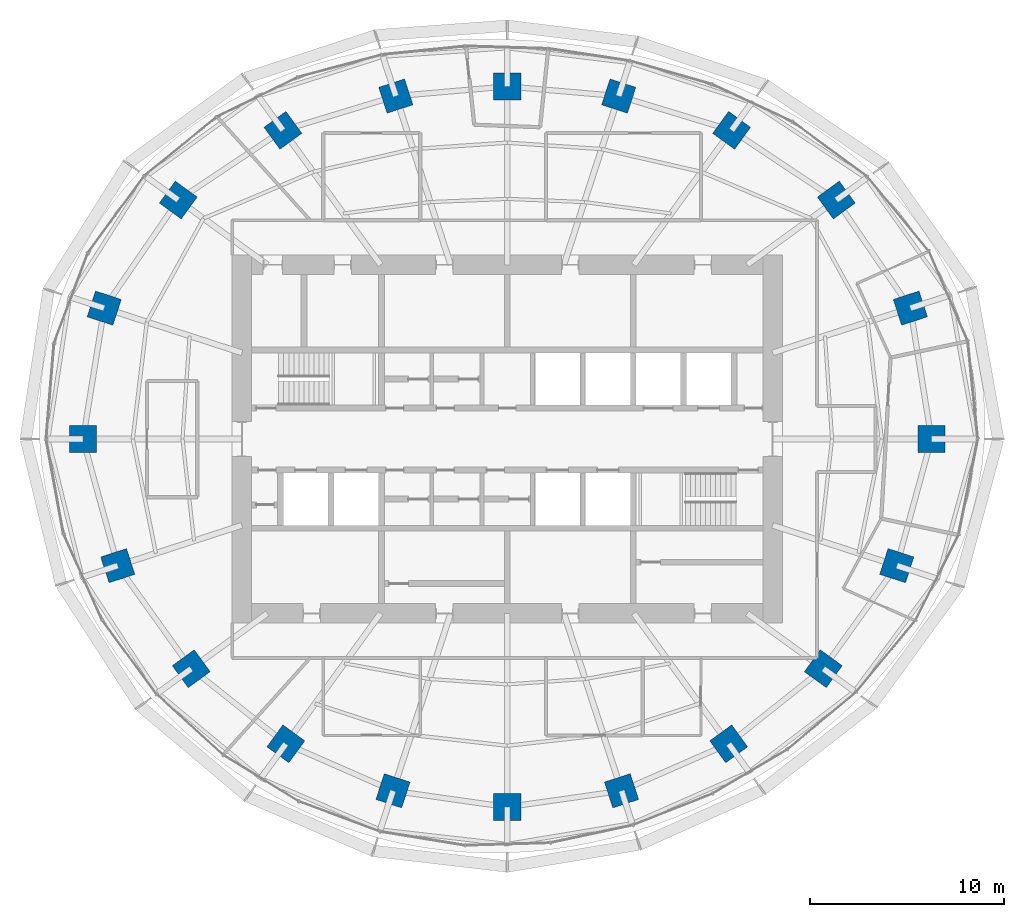
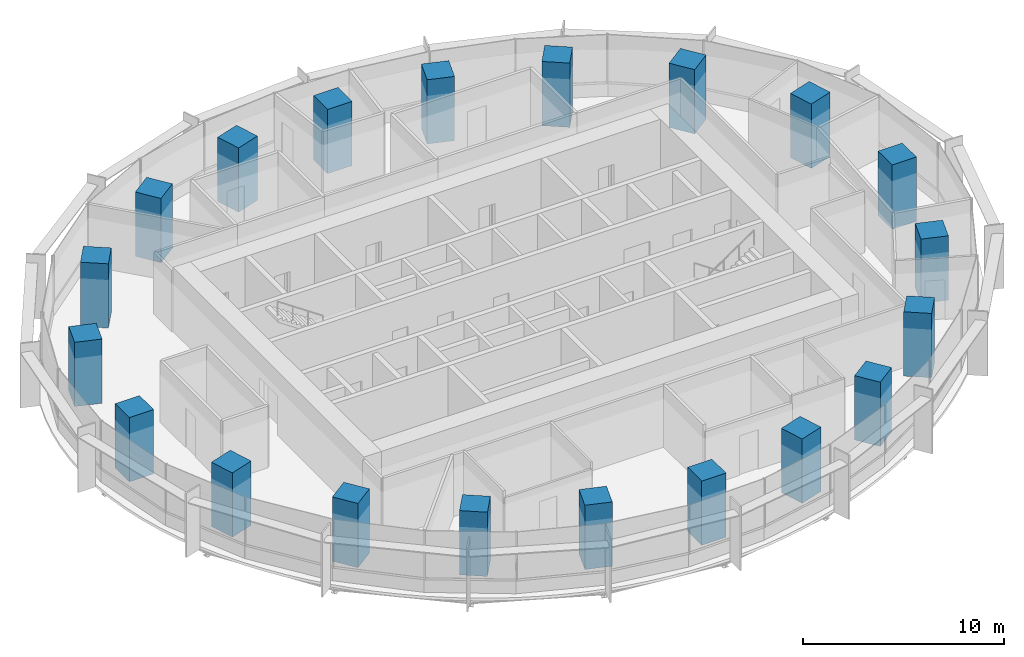
# One storey, part 1 of 15: 20 columns.
"""IFC4 building model written with IfcOpenShell, lengths in metres."""

from ifc_helpers import new_model, si_unit, direction, frame, origin, origin_2d, place, context, subcontext, project, spatial, rectangle, extrude, material, material_profile, profile_set, type_object, element, save


model = new_model("IFC4")

# Units and contexts
model_context = context("Model", 3, precision=1e-05, world=origin(), true_north=direction((0.0, 1.0)))
body_context = subcontext(model_context, "Body", "Model", "MODEL_VIEW")
ifc_project = project(units=[si_unit("LENGTHUNIT", "METRE"), si_unit("AREAUNIT", "SQUARE_METRE"), si_unit("VOLUMEUNIT", "CUBIC_METRE"), si_unit("PLANEANGLEUNIT", "RADIAN"), si_unit("MASSUNIT", "GRAM", prefix="KILO")], contexts=[model_context])

# Site, building, storey
site_placement = place(None, origin())
site = spatial("IfcSite", under=ifc_project, at=site_placement, CompositionType="ELEMENT")
building_placement = place(site_placement, origin())
building = spatial("IfcBuilding", under=site, at=building_placement, Name="Marramba Exchange Tower", CompositionType="ELEMENT")
storey_placement = place(building_placement, frame((0.0, 0.0, 211.10009765625)))
storey = spatial("IfcBuildingStorey", under=building, at=storey_placement, Name="L51", CompositionType="ELEMENT", Elevation=211.10009765625)

# Columns
ifc_material = material(Name="Concrete N50", Category="concrete")
ifc_material_profile = material_profile(ifc_material, rectangle(XDim=1.39990234375, YDim=1.39990234375, at=origin_2d()), Name="RC 1400x1400")
ifc_profile_set = profile_set([ifc_material_profile], Name="Concrete N50")
column_type = type_object("IfcColumnType", Name="Perimeter column RC 1400x1400 N50", PredefinedType="COLUMN", material=ifc_profile_set)
for number, where, z_axis, x_axis, name in (
    (1, (21.89990234375, 0.0, 0.0), (0.0, 0.0, 1.0), (1.0, 0.0, 0.0), "Column TC01 L51"),
    (2, (20.808349609375, 6.760986328125, 0.0), (0.0, 0.0, 1.0), (0.951056516295, 0.309016994375, 0.0), "Column TC02 L51"),
    (3, (16.98583984375, 12.3408203125, 0.0), (0.0, 0.0, 1.0), (0.809016994375, 0.587785252292, 0.0), "Column TC03 L51"),
    (4, (11.581298828125, 15.9404296875, 0.0), (0.0, 0.0, 1.0), (0.587785252292, 0.809016994375, 0.0), "Column TC04 L51"),
    (5, (5.75390625, 17.70849609375, 0.0), (0.0, 0.0, 1.0), (0.309016994375, 0.951056516295, 0.0), "Column TC05 L51"),
    (6, (0.0, 18.2041015625, 0.0), (0.0, 0.0, 1.0), (0.0, 1.0, 0.0), "Column TC06 L51"),
    (7, (-5.75390625, 17.70849609375, 0.0), (0.0, 0.0, 1.0), (-0.309016994375, 0.951056516295, 0.0), "Column TC07 L51"),
    (8, (-11.581298828125, 15.9404296875, 0.0), (0.0, 0.0, 1.0), (-0.587785252292, 0.809016994375, 0.0), "Column TC08 L51"),
    (9, (-16.98583984375, 12.3408203125, 0.0), (0.0, 0.0, 1.0), (-0.809016994375, 0.587785252292, 0.0), "Column TC09 L51"),
    (10, (-20.808349609375, 6.760986328125, 0.0), (0.0, 0.0, 1.0), (-0.951056516295, 0.309016994375, 0.0), "Column TC10 L51"),
    (11, (-21.89990234375, 0.0, 0.0), (0.0, 0.0, 1.0), (-1.0, 0.0, 0.0), "Column TC11 L51"),
    (12, (-20.109375, -6.533935546875, 0.0), (0.0, 0.0, 1.0), (-0.951056516295, -0.309016994375, 0.0), "Column TC12 L51"),
    (13, (-16.3154296875, -11.853759765625, 0.0), (0.0, 0.0, 1.0), (-0.809016994375, -0.587785252292, 0.0), "Column TC13 L51"),
    (14, (-11.430419921875, -15.732666015625, 0.0), (0.0, 0.0, 1.0), (-0.587785252292, -0.809016994375, 0.0), "Column TC14 L51"),
    (15, (-5.899658203125, -18.156982421875, 0.0), (0.0, 0.0, 1.0), (-0.309016994375, -0.951056516295, 0.0), "Column TC15 L51"),
    (16, (0.0, -18.99609375, 0.0), (0.0, 0.0, 1.0), (0.0, -1.0, 0.0), "Column TC16 L51"),
    (17, (5.899658203125, -18.156982421875, 0.0), (0.0, 0.0, 1.0), (0.309016994375, -0.951056516295, 0.0), "Column TC17 L51"),
    (18, (11.430419921875, -15.732666015625, 0.0), (0.0, 0.0, 1.0), (0.587785252292, -0.809016994375, 0.0), "Column TC18 L51"),
    (19, (16.3154296875, -11.853759765625, 0.0), (0.0, 0.0, 1.0), (0.809016994375, -0.587785252292, 0.0), "Column TC19 L51"),
    (20, (20.109375, -6.533935546875, 0.0), (0.0, 0.0, 1.0), (0.951056516295, -0.309016994375, 0.0), "Column TC20 L51"),
):
    element("IfcColumn", number, at=place(storey_placement, frame(where, z_axis=z_axis, x_axis=x_axis)), inside=storey, type_object=column_type, Name=name, PredefinedType="COLUMN", context=body_context, shape_type="SweptSolid", body=[
        extrude(rectangle(XDim=1.39990234375, YDim=1.39990234375, at=origin_2d()), origin(), (0.0, 0.0, 1.0), 3.89990234375),
    ])

save(model, "model.ifc")
